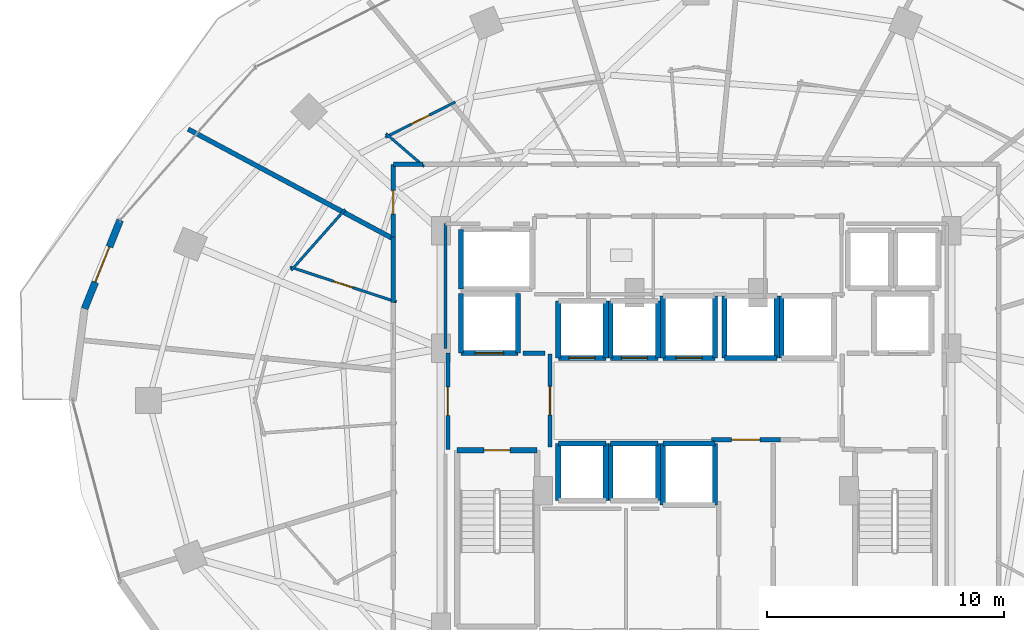
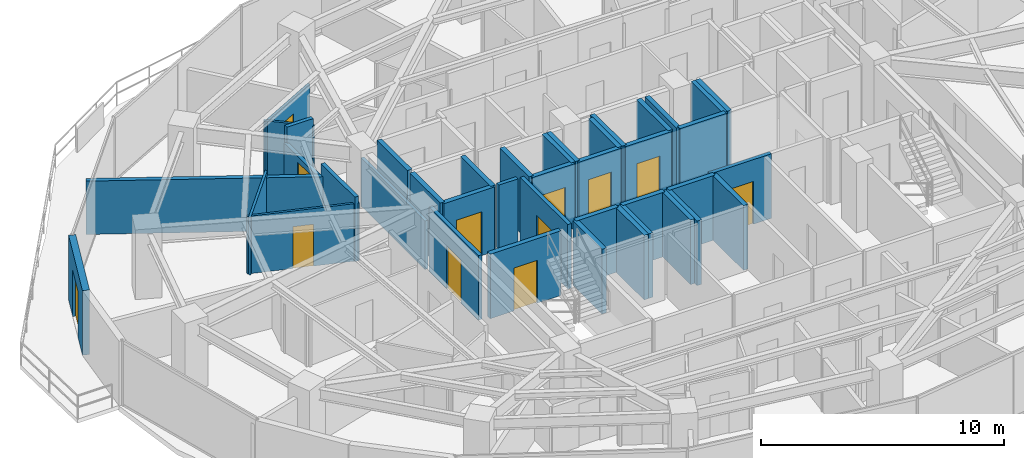
# One storey, part 22 of 29: 41 walls, 12 doors, 12 openings.
"""IFC4 building model written with IfcOpenShell, lengths in metres."""

from ifc_helpers import new_model, si_unit, direction, frame, frame_2d, origin, place, context, subcontext, project, spatial, rectangle, extrude, material, layer, layer_set, type_object, element, fill, save


model = new_model("IFC4")

# Units and contexts
model_context = context("Model", 3, precision=1e-05, world=origin(), true_north=direction((0.0, 1.0)))
body_context = subcontext(model_context, "Body", "Model", "MODEL_VIEW")
ifc_project = project(units=[si_unit("LENGTHUNIT", "METRE"), si_unit("AREAUNIT", "SQUARE_METRE"), si_unit("VOLUMEUNIT", "CUBIC_METRE"), si_unit("PLANEANGLEUNIT", "RADIAN"), si_unit("MASSUNIT", "GRAM", prefix="KILO")], contexts=[model_context])

# Site, building, storey
site_placement = place(None, origin())
site = spatial("IfcSite", under=ifc_project, at=site_placement, CompositionType="ELEMENT")
building_placement = place(site_placement, origin())
building = spatial("IfcBuilding", under=site, at=building_placement, Name="Vorneva Point Tower", CompositionType="ELEMENT")
storey_placement = place(building_placement, frame((0.0, 0.0, 113.800048828125)))
storey = spatial("IfcBuildingStorey", under=building, at=storey_placement, Name="L30", CompositionType="ELEMENT", Elevation=113.800048828125)

# Wall, opening, door
ifc_material_1 = material(Name="Concrete B60 (C50/60)", Category="concrete")
ifc_layer_1 = layer(ifc_material_1, 0.5)
ifc_layer_set_1 = layer_set([ifc_layer_1], Name="Concrete B60 (C50/60)")
wall_type_1 = type_object("IfcWallType", Name="WL-CORE-500", PredefinedType="SHEAR", material=ifc_layer_set_1)
wall_1_placement = place(storey_placement, frame((28.10009765625, 28.0, 0.0), z_axis=(0.0, 0.0, 1.0), x_axis=(1.0, 0.0, 0.0)))
wall_1 = element("IfcWall", 1, at=wall_1_placement, inside=storey, type_object=wall_type_1, Name="L30 Lift FFL1 Shaft Wall -Y", PredefinedType="SHEAR", context=body_context, shape_type="SweptSolid", body=[
    extrude(rectangle(XDim=2.39990234375, YDim=0.219970703125, at=frame_2d((1.199951171875, 0.0))), origin(), (0.0, 0.0, 1.0), 3.239990234375),
])
opening_1_placement = place(wall_1_placement, frame((0.60009765625, 0.0, 0.0)))
opening_1 = element("IfcOpeningElement", 2, at=opening_1_placement, cuts=wall_1, Name="Opening LD-02", PredefinedType="OPENING", context=body_context, shape_type="SweptSolid", body=[
    extrude(rectangle(XDim=1.199951171875, YDim=2.199951171875, at=frame_2d((0.60009765625, 1.10009765625))), frame((0.0, 0.125, 0.0), z_axis=(0.0, -1.0, 0.0), x_axis=(1.0, 0.0, 0.0)), (0.0, 0.0, 1.0), 0.249755859375),
])
ifc_material_2 = material(Name="Brushed stainless steel S304", Category="steel")
door_type_1 = type_object("IfcDoorType", Name="LD-FIRE-1200", OperationType="SLIDING_TO_LEFT", PredefinedType="DOOR", material=ifc_material_2)
door_1_placement = place(opening_1_placement, origin())
door_1 = element("IfcDoor", 3, at=door_1_placement, inside=storey, type_object=door_type_1, Name="L30 Lift FFL1 Sliding Landing Door", OperationType="SLIDING_TO_LEFT", OverallHeight=2.199951171875, OverallWidth=1.199951171875, PredefinedType="DOOR", context=body_context, shape_type="SweptSolid", body=[
    extrude(rectangle(XDim=1.199951171875, YDim=2.199951171875, at=frame_2d((0.60009765625, 1.10009765625))), frame((0.0, 0.02490234375, 0.0), z_axis=(0.0, -1.0, 0.0), x_axis=(1.0, 0.0, 0.0)), (0.0, 0.0, 1.0), 0.050048828125),
])
fill(opening_1, door_1)

# Walls
for number, where, z_axis, x_axis, name in (
    (4, (30.5, 28.0, 0.0), (0.0, 0.0, 1.0), (0.0, 1.0, 0.0), "L30 Lift FFL1 Shaft Wall +X"),
    (5, (28.10009765625, 30.5, 0.0), (0.0, 0.0, 1.0), (0.0, -1.0, 0.0), "L30 Lift FFL1 Shaft Wall -X"),
):
    element("IfcWall", number, at=place(storey_placement, frame(where, z_axis=z_axis, x_axis=x_axis)), inside=storey, type_object=wall_type_1, Name=name, PredefinedType="SHEAR", context=body_context, shape_type="SweptSolid", body=[
        extrude(rectangle(XDim=2.5, YDim=0.219970703125, at=frame_2d((1.25, 0.0))), origin(), (0.0, 0.0, 1.0), 3.239990234375),
    ])

# Wall, opening, door
ifc_material_3 = material(Name="Precast concrete B50 (C40/50)", Category="concrete")
ifc_layer_2 = layer(ifc_material_3, 0.300048828125)
ifc_layer_set_2 = layer_set([ifc_layer_2], Name="Precast concrete B50 (C40/50)")
wall_type_2 = type_object("IfcWallType", Name="WL-EXT-300", PredefinedType="STANDARD", material=ifc_layer_set_2)
wall_2_placement = place(storey_placement, frame((13.748291015625, 33.59619140625, 0.0), z_axis=(0.0, 0.0, 1.0), x_axis=(-0.372345205928, -0.92809430966, 0.0)))
wall_2 = element("IfcWall", 6, at=wall_2_placement, inside=storey, type_object=wall_type_2, Name="L30 Pale-Metal Facade Spandrel Wall 08.1", PredefinedType="STANDARD", context=body_context, shape_type="SweptSolid", body=[
    extrude(rectangle(XDim=4.01220703125, YDim=0.300048828125, at=frame_2d((2.006103515625, 0.0))), origin(), (0.0, 0.0, 1.0), 3.239990234375),
])
opening_2_placement = place(wall_2_placement, frame((1.2060546875, 0.0, 0.0)))
opening_2 = element("IfcOpeningElement", 7, at=opening_2_placement, cuts=wall_2, Name="Opening BD-01", PredefinedType="OPENING", context=body_context, shape_type="SweptSolid", body=[
    extrude(rectangle(XDim=1.60009765625, YDim=2.300048828125, at=frame_2d((0.800048828125, 1.14990234375))), frame((0.0, 0.1650390625, 0.0), z_axis=(0.0, -1.0, 0.0), x_axis=(1.0, 0.0, 0.0)), (0.0, 0.0, 1.0), 0.329833984375),
])
ifc_material_4 = material(Name="Pale anodised aluminium", Category="aluminium")
door_type_2 = type_object("IfcDoorType", Name="DR-BAL-1600", OperationType="SLIDING_TO_LEFT", PredefinedType="DOOR", material=ifc_material_4)
door_2_placement = place(opening_2_placement, origin())
door_2 = element("IfcDoor", 8, at=door_2_placement, inside=storey, type_object=door_type_2, Name="L30 Balcony Terrace Access Door 08", OperationType="SLIDING_TO_LEFT", OverallHeight=2.300048828125, OverallWidth=1.60009765625, PredefinedType="DOOR", context=body_context, shape_type="SweptSolid", body=[
    extrude(rectangle(XDim=1.60009765625, YDim=2.300048828125, at=frame_2d((0.800048828125, 1.14990234375))), frame((0.0, 0.02490234375, 0.0), z_axis=(0.0, -1.0, 0.0), x_axis=(1.0, 0.0, 0.0)), (0.0, 0.0, 1.0), 0.050048828125),
])
fill(opening_2, door_2)

ifc_material_5 = material(Name="Fire-rated acoustic gypsum stud partition", Category="gypsum")
ifc_layer_3 = layer(ifc_material_5, 0.110107421875)
ifc_layer_set_3 = layer_set([ifc_layer_3], Name="Fire-rated acoustic gypsum stud partition")
wall_type_3 = type_object("IfcWallType", Name="WL-PART-110", PredefinedType="PARTITIONING", material=ifc_layer_set_3)
wall_3_placement = place(storey_placement, frame((24.921142578125, 37.0888671875, 0.0), z_axis=(0.0, 0.0, 1.0), x_axis=(0.892504738081, 0.451038016693, 0.0)))
wall_3 = element("IfcWall", 9, at=wall_3_placement, inside=storey, type_object=wall_type_3, Name="L30 Interior Partition 079", PredefinedType="PARTITIONING", context=body_context, shape_type="SweptSolid", body=[
    extrude(rectangle(XDim=3.29052734375, YDim=0.110107421875, at=frame_2d((1.645263671875, 0.0))), origin(), (0.0, 0.0, 1.0), 2.885986328125),
])
opening_3_placement = place(wall_3_placement, frame((1.22021484375, 0.0, 0.0)))
opening_3 = element("IfcOpeningElement", 10, at=opening_3_placement, cuts=wall_3, Name="Opening ID-02", PredefinedType="OPENING", context=body_context, shape_type="SweptSolid", body=[
    extrude(rectangle(XDim=0.85009765625, YDim=2.10009765625, at=frame_2d((0.425048828125, 1.050048828125))), frame((0.0, 0.06982421875, 0.0), z_axis=(0.0, -1.0, 0.0), x_axis=(1.0, 0.0, 0.0)), (0.0, 0.0, 1.0), 0.139892578125),
])
ifc_material_6 = material(Name="Engineered oak fire-rated door leaf", Category="wood")
door_type_3 = type_object("IfcDoorType", Name="DR-BATH-850", OperationType="NOTDEFINED", PredefinedType="DOOR", material=ifc_material_6)
door_3_placement = place(opening_3_placement, origin())
door_3 = element("IfcDoor", 11, at=door_3_placement, inside=storey, type_object=door_type_3, Name="L30 Door King Guest Room L30-06 / En-Suite Bathroom L30-06", OperationType="SINGLE_SWING_RIGHT", OverallHeight=2.10009765625, OverallWidth=0.85009765625, PredefinedType="DOOR", context=body_context, shape_type="SweptSolid", body=[
    extrude(rectangle(XDim=0.85009765625, YDim=2.10009765625, at=frame_2d((0.425048828125, 1.050048828125))), frame((0.0, 0.02490234375, 0.0), z_axis=(0.0, -1.0, 0.0), x_axis=(1.0, 0.0, 0.0)), (0.0, 0.0, 1.0), 0.050048828125),
])
fill(opening_3, door_3)

# Walls
wall_4_placement = place(storey_placement, frame((26.548095703125, 35.858642578125, 0.0), z_axis=(0.0, 0.0, 1.0), x_axis=(-0.757776702782, 0.652513960556, 0.0)))
element("IfcWall", 12, at=wall_4_placement, inside=storey, type_object=wall_type_3, Name="L30 Interior Partition 080", PredefinedType="PARTITIONING", context=body_context, shape_type="SweptSolid", body=[
    extrude(rectangle(XDim=2.122314453125, YDim=0.110107421875, at=frame_2d((1.06103515625, 0.0))), origin(), (0.0, 0.0, 1.0), 2.885986328125),
])
wall_5_placement = place(storey_placement, frame((20.9482421875, 31.47900390625, 0.0), z_axis=(0.0, 0.0, 1.0), x_axis=(0.662155101597, 0.749366813669, 0.0)))
element("IfcWall", 13, at=wall_5_placement, inside=storey, type_object=wall_type_3, Name="L30 Interior Partition 082", PredefinedType="PARTITIONING", context=body_context, shape_type="SweptSolid", body=[
    extrude(rectangle(XDim=3.434814453125, YDim=0.110107421875, at=frame_2d((1.71728515625, 0.0))), origin(), (0.0, 0.0, 1.0), 2.885986328125),
])

# Wall, opening, door
wall_6_placement = place(storey_placement, frame((25.383056640625, 30.154296875, 0.0), z_axis=(0.0, 0.0, 1.0), x_axis=(-0.949842778007, 0.312727832257, 0.0)))
wall_6 = element("IfcWall", 14, at=wall_6_placement, inside=storey, type_object=wall_type_3, Name="L30 Interior Partition 083", PredefinedType="PARTITIONING", context=body_context, shape_type="SweptSolid", body=[
    extrude(rectangle(XDim=4.71142578125, YDim=0.110107421875, at=frame_2d((2.355712890625, 0.0))), origin(), (0.0, 0.0, 1.0), 2.885986328125),
])
opening_4_placement = place(wall_6_placement, frame((1.9306640625, 0.0, 0.0)))
opening_4 = element("IfcOpeningElement", 15, at=opening_4_placement, cuts=wall_6, Name="Opening ID-02", PredefinedType="OPENING", context=body_context, shape_type="SweptSolid", body=[
    extrude(rectangle(XDim=0.85009765625, YDim=2.10009765625, at=frame_2d((0.425048828125, 1.050048828125))), frame((0.0, 0.06982421875, 0.0), z_axis=(0.0, -1.0, 0.0), x_axis=(1.0, 0.0, 0.0)), (0.0, 0.0, 1.0), 0.139892578125),
])
door_4_placement = place(opening_4_placement, origin())
door_4 = element("IfcDoor", 16, at=door_4_placement, inside=storey, type_object=door_type_3, Name="L30 Door Corner Suite L30-07 / En-Suite Bathroom L30-07", OperationType="SINGLE_SWING_LEFT", OverallHeight=2.10009765625, OverallWidth=0.85009765625, PredefinedType="DOOR", context=body_context, shape_type="SweptSolid", body=[
    extrude(rectangle(XDim=0.85009765625, YDim=2.10009765625, at=frame_2d((0.425048828125, 1.050048828125))), frame((0.0, 0.02490234375, 0.0), z_axis=(0.0, -1.0, 0.0), x_axis=(1.0, 0.0, 0.0)), (0.0, 0.0, 1.0), 0.050048828125),
])
fill(opening_4, door_4)

# Wall
ifc_layer_4 = layer(ifc_material_5, 0.139892578125)
ifc_layer_set_4 = layer_set([ifc_layer_4], Name="Fire-rated acoustic gypsum stud partition")
wall_type_4 = type_object("IfcWallType", Name="WL-PART-140", PredefinedType="PARTITIONING", material=ifc_layer_set_4)
wall_7_placement = place(storey_placement, frame((27.449951171875, 28.196044921875, 0.0), z_axis=(0.0, 0.0, 1.0), x_axis=(0.0, 1.0, 0.0)))
element("IfcWall", 17, at=wall_7_placement, inside=storey, type_object=wall_type_4, Name="L30 Interior Closure Partition 126", PredefinedType="PARTITIONING", context=body_context, shape_type="SweptSolid", body=[
    extrude(rectangle(XDim=5.25390625, YDim=0.139892578125, at=frame_2d((2.626953125, 0.0))), origin(), (0.0, 0.0, 1.0), 2.431884765625),
])

# Wall, opening, door
ifc_material_7 = material(Name="Autoclaved aerated concrete blockwork", Category="masonry")
ifc_layer_5 = layer(ifc_material_7, 0.179931640625)
ifc_layer_set_5 = layer_set([ifc_layer_5], Name="Autoclaved aerated concrete blockwork")
wall_type_5 = type_object("IfcWallType", Name="WL-PART-180", PredefinedType="PARTITIONING", material=ifc_layer_set_5)
wall_8_placement = place(storey_placement, frame((31.85009765625, 24.044921875, 0.0), z_axis=(0.0, 0.0, 1.0), x_axis=(0.0, 1.0, 0.0)))
wall_8 = element("IfcWall", 18, at=wall_8_placement, inside=storey, type_object=wall_type_5, Name="L30 Interior Partition 001", PredefinedType="PARTITIONING", context=body_context, shape_type="SweptSolid", body=[
    extrude(rectangle(XDim=3.91015625, YDim=0.179931640625, at=frame_2d((1.955078125, 0.0))), origin(), (0.0, 0.0, 1.0), 3.239990234375),
])
opening_5_placement = place(wall_8_placement, frame((1.35498046875, 0.0, 0.0)))
opening_5 = element("IfcOpeningElement", 19, at=opening_5_placement, cuts=wall_8, Name="Opening FD-02", PredefinedType="OPENING", context=body_context, shape_type="SweptSolid", body=[
    extrude(rectangle(XDim=1.199951171875, YDim=2.14990234375, at=frame_2d((0.60009765625, 1.074951171875))), frame((0.0, 0.10498046875, 0.0), z_axis=(0.0, -1.0, 0.0), x_axis=(1.0, 0.0, 0.0)), (0.0, 0.0, 1.0), 0.209716796875),
])
ifc_material_8 = material(Name="Fire-rated powder-coated steel", Category="steel")
door_type_4 = type_object("IfcDoorType", Name="DR-FFL-1200", OperationType="NOTDEFINED", PredefinedType="DOOR", material=ifc_material_8)
door_5_placement = place(opening_5_placement, origin())
door_5 = element("IfcDoor", 20, at=door_5_placement, inside=storey, type_object=door_type_4, Name="L30 Door West Firefighting Lobby / Central Lift Lobby", OperationType="SINGLE_SWING_RIGHT", OverallHeight=2.14990234375, OverallWidth=1.199951171875, PredefinedType="DOOR", context=body_context, shape_type="SweptSolid", body=[
    extrude(rectangle(XDim=1.199951171875, YDim=2.14990234375, at=frame_2d((0.60009765625, 1.074951171875))), frame((0.0, 0.02490234375, 0.0), z_axis=(0.0, -1.0, 0.0), x_axis=(1.0, 0.0, 0.0)), (0.0, 0.0, 1.0), 0.050048828125),
])
fill(opening_5, door_5)

wall_9_placement = place(storey_placement, frame((27.550048828125, 28.0, 0.0), z_axis=(0.0, 0.0, 1.0), x_axis=(0.0, -1.0, 0.0)))
wall_9 = element("IfcWall", 21, at=wall_9_placement, inside=storey, type_object=wall_type_5, Name="L30 Interior Partition 002", PredefinedType="PARTITIONING", context=body_context, shape_type="SweptSolid", body=[
    extrude(rectangle(XDim=4.050048828125, YDim=0.179931640625, at=frame_2d((2.02490234375, 0.0))), origin(), (0.0, 0.0, 1.0), 3.239990234375),
])
opening_6_placement = place(wall_9_placement, frame((1.425048828125, 0.0, 0.0)))
opening_6 = element("IfcOpeningElement", 22, at=opening_6_placement, cuts=wall_9, Name="Opening FD-02", PredefinedType="OPENING", context=body_context, shape_type="SweptSolid", body=[
    extrude(rectangle(XDim=1.199951171875, YDim=2.14990234375, at=frame_2d((0.60009765625, 1.074951171875))), frame((0.0, 0.10498046875, 0.0), z_axis=(0.0, -1.0, 0.0), x_axis=(1.0, 0.0, 0.0)), (0.0, 0.0, 1.0), 0.209716796875),
])
door_6_placement = place(opening_6_placement, origin())
door_6 = element("IfcDoor", 23, at=door_6_placement, inside=storey, type_object=door_type_4, Name="L30 Door West Firefighting Lobby / L30 Circulation Corridor", OperationType="SINGLE_SWING_RIGHT", OverallHeight=2.14990234375, OverallWidth=1.199951171875, PredefinedType="DOOR", context=body_context, shape_type="SweptSolid", body=[
    extrude(rectangle(XDim=1.199951171875, YDim=2.14990234375, at=frame_2d((0.60009765625, 1.074951171875))), frame((0.0, 0.02490234375, 0.0), z_axis=(0.0, -1.0, 0.0), x_axis=(1.0, 0.0, 0.0)), (0.0, 0.0, 1.0), 0.050048828125),
])
fill(opening_6, door_6)

wall_10_placement = place(storey_placement, frame((38.64501953125, 24.35009765625, 0.0), z_axis=(0.0, 0.0, 1.0), x_axis=(1.0, 0.0, 0.0)))
wall_10 = element("IfcWall", 24, at=wall_10_placement, inside=storey, type_object=wall_type_5, Name="L30 Interior Partition 009", PredefinedType="PARTITIONING", context=body_context, shape_type="SweptSolid", body=[
    extrude(rectangle(XDim=2.909912109375, YDim=0.179931640625, at=frame_2d((1.455078125, 0.0))), origin(), (0.0, 0.0, 1.0), 3.239990234375),
])
opening_7_placement = place(wall_10_placement, frame((0.85498046875, 0.0, 0.0)))
opening_7 = element("IfcOpeningElement", 25, at=opening_7_placement, cuts=wall_10, Name="Opening FD-02", PredefinedType="OPENING", context=body_context, shape_type="SweptSolid", body=[
    extrude(rectangle(XDim=1.199951171875, YDim=2.14990234375, at=frame_2d((0.60009765625, 1.074951171875))), frame((0.0, 0.10498046875, 0.0), z_axis=(0.0, -1.0, 0.0), x_axis=(1.0, 0.0, 0.0)), (0.0, 0.0, 1.0), 0.209716796875),
])
door_7_placement = place(opening_7_placement, origin())
door_7 = element("IfcDoor", 26, at=door_7_placement, inside=storey, type_object=door_type_4, Name="L30 Door Central Lift Lobby / Core Service Lobby", OperationType="SINGLE_SWING_LEFT", OverallHeight=2.14990234375, OverallWidth=1.199951171875, PredefinedType="DOOR", context=body_context, shape_type="SweptSolid", body=[
    extrude(rectangle(XDim=1.199951171875, YDim=2.14990234375, at=frame_2d((0.60009765625, 1.074951171875))), frame((0.0, 0.02490234375, 0.0), z_axis=(0.0, -1.0, 0.0), x_axis=(1.0, 0.0, 0.0)), (0.0, 0.0, 1.0), 0.050048828125),
])
fill(opening_7, door_7)

# Wall
wall_11_placement = place(storey_placement, frame((26.501953125, 35.949951171875, 0.0), z_axis=(0.0, 0.0, 1.0), x_axis=(-1.0, 0.0, 0.0)))
element("IfcWall", 27, at=wall_11_placement, inside=storey, type_object=wall_type_5, Name="L30 Interior Partition 035", PredefinedType="PARTITIONING", context=body_context, shape_type="SweptSolid", body=[
    extrude(rectangle(XDim=1.251953125, YDim=0.179931640625, at=frame_2d((0.6259765625, 0.0))), origin(), (0.0, 0.0, 1.0), 3.239990234375),
])

# Wall, opening, door
wall_12_placement = place(storey_placement, frame((25.25, 35.949951171875, 0.0), z_axis=(0.0, 0.0, 1.0), x_axis=(0.0, -1.0, 0.0)))
wall_12 = element("IfcWall", 28, at=wall_12_placement, inside=storey, type_object=wall_type_5, Name="L30 Interior Partition 036", PredefinedType="PARTITIONING", context=body_context, shape_type="SweptSolid", body=[
    extrude(rectangle(XDim=3.195068359375, YDim=0.179931640625, at=frame_2d((1.59765625, 0.0))), origin(), (0.0, 0.0, 1.0), 2.431884765625),
])
opening_8_placement = place(wall_12_placement, frame((1.097412109375, 0.0, 0.0)))
opening_8 = element("IfcOpeningElement", 29, at=opening_8_placement, cuts=wall_12, Name="Opening UD-01", PredefinedType="OPENING", context=body_context, shape_type="SweptSolid", body=[
    extrude(rectangle(XDim=1.0, YDim=2.14990234375, at=frame_2d((0.5, 1.074951171875))), frame((0.0, 0.10498046875, 0.0), z_axis=(0.0, -1.0, 0.0), x_axis=(1.0, 0.0, 0.0)), (0.0, 0.0, 1.0), 0.209716796875),
])
door_type_5 = type_object("IfcDoorType", Name="DR-UNIT-1000", OperationType="NOTDEFINED", PredefinedType="DOOR", material=ifc_material_6)
door_8_placement = place(opening_8_placement, origin())
door_8 = element("IfcDoor", 30, at=door_8_placement, inside=storey, type_object=door_type_5, Name="L30 Door L30 Circulation Corridor / King Guest Room L30-06", OperationType="SINGLE_SWING_LEFT", OverallHeight=2.14990234375, OverallWidth=1.0, PredefinedType="DOOR", context=body_context, shape_type="SweptSolid", body=[
    extrude(rectangle(XDim=1.0, YDim=2.14990234375, at=frame_2d((0.5, 1.074951171875))), frame((0.0, 0.02490234375, 0.0), z_axis=(0.0, -1.0, 0.0), x_axis=(1.0, 0.0, 0.0)), (0.0, 0.0, 1.0), 0.050048828125),
])
fill(opening_8, door_8)

# Walls
wall_13_placement = place(storey_placement, frame((25.25, 32.89501953125, 0.0), z_axis=(0.0, 0.0, 1.0), x_axis=(0.0, -1.0, 0.0)))
element("IfcWall", 31, at=wall_13_placement, inside=storey, type_object=wall_type_5, Name="L30 Interior Partition 039", PredefinedType="PARTITIONING", context=body_context, shape_type="SweptSolid", body=[
    extrude(rectangle(XDim=2.77392578125, YDim=0.179931640625, at=frame_2d((1.386962890625, 0.0))), origin(), (0.0, 0.0, 1.0), 3.239990234375),
])
wall_14_placement = place(storey_placement, frame((31.635009765625, 28.0, 0.0), z_axis=(0.0, 0.0, 1.0), x_axis=(-1.0, 0.0, 0.0)))
element("IfcWall", 32, at=wall_14_placement, inside=storey, type_object=wall_type_5, Name="L30 Interior Closure Partition 111", PredefinedType="PARTITIONING", context=body_context, shape_type="SweptSolid", body=[
    extrude(rectangle(XDim=0.9150390625, YDim=0.179931640625, at=frame_2d((0.45751953125, 0.0))), origin(), (0.0, 0.0, 1.0), 3.239990234375),
])
ifc_layer_6 = layer(ifc_material_7, 0.199951171875)
ifc_layer_set_6 = layer_set([ifc_layer_6], Name="Autoclaved aerated concrete blockwork")
wall_type_6 = type_object("IfcWallType", Name="WL-PART-200", PredefinedType="PARTITIONING", material=ifc_layer_set_6)
wall_15_placement = place(storey_placement, frame((16.615966796875, 37.429931640625, 0.0), z_axis=(0.0, 0.0, 1.0), x_axis=(0.881921122551, -0.471397002109, 0.0)))
element("IfcWall", 33, at=wall_15_placement, inside=storey, type_object=wall_type_6, Name="L30 Interior Partition 081", PredefinedType="PARTITIONING", context=body_context, shape_type="SweptSolid", body=[
    extrude(rectangle(XDim=9.7900390625, YDim=0.199951171875, at=frame_2d((4.89501953125, 0.0))), origin(), (0.0, 0.0, 1.0), 2.677001953125),
])

# Wall, opening, door
ifc_material_9 = material(Name="Concrete B50 (C40/50)", Category="concrete")
ifc_layer_7 = layer(ifc_material_9, 0.219970703125)
ifc_layer_set_7 = layer_set([ifc_layer_7], Name="Concrete B50 (C40/50)")
wall_type_7 = type_object("IfcWallType", Name="WL-SHFT-220", PredefinedType="SOLIDWALL", material=ifc_layer_set_7)
wall_16_placement = place(storey_placement, frame((27.93994140625, 23.909912109375, 0.0), z_axis=(0.0, 0.0, 1.0), x_axis=(1.0, 0.0, 0.0)))
wall_16 = element("IfcWall", 34, at=wall_16_placement, inside=storey, type_object=wall_type_7, Name="L30 Exit Stair ST1 Shaft Wall near", PredefinedType="SOLIDWALL", context=body_context, shape_type="SweptSolid", body=[
    extrude(rectangle(XDim=3.3701171875, YDim=0.219970703125, at=frame_2d((1.68505859375, 0.0))), origin(), (0.0, 0.0, 1.0), 3.239990234375),
])
opening_9_placement = place(wall_16_placement, frame((1.135009765625, 0.0, 0.0)))
opening_9 = element("IfcOpeningElement", 35, at=opening_9_placement, cuts=wall_16, Name="Opening FD-01", PredefinedType="OPENING", context=body_context, shape_type="SweptSolid", body=[
    extrude(rectangle(XDim=1.10009765625, YDim=2.14990234375, at=frame_2d((0.550048828125, 1.074951171875))), frame((0.0, 0.125, 0.0), z_axis=(0.0, -1.0, 0.0), x_axis=(1.0, 0.0, 0.0)), (0.0, 0.0, 1.0), 0.249755859375),
])
door_type_6 = type_object("IfcDoorType", Name="DR-STAIR-1100", OperationType="NOTDEFINED", PredefinedType="DOOR", material=ifc_material_8)
door_9_placement = place(opening_9_placement, origin())
door_9 = element("IfcDoor", 36, at=door_9_placement, inside=storey, type_object=door_type_6, Name="L30 Exit Stair ST1 Fire Door", OperationType="SINGLE_SWING_RIGHT", OverallHeight=2.14990234375, OverallWidth=1.10009765625, PredefinedType="DOOR", context=body_context, shape_type="SweptSolid", body=[
    extrude(rectangle(XDim=1.10009765625, YDim=2.14990234375, at=frame_2d((0.550048828125, 1.074951171875))), frame((0.0, 0.02490234375, 0.0), z_axis=(0.0, -1.0, 0.0), x_axis=(1.0, 0.0, 0.0)), (0.0, 0.0, 1.0), 0.050048828125),
])
fill(opening_9, door_9)

wall_17_placement = place(storey_placement, frame((32.199951171875, 27.800048828125, 0.0), z_axis=(0.0, 0.0, 1.0), x_axis=(1.0, 0.0, 0.0)))
wall_17 = element("IfcWall", 37, at=wall_17_placement, inside=storey, type_object=wall_type_7, Name="L30 Lift PL1 Shaft Wall -Y", PredefinedType="SOLIDWALL", context=body_context, shape_type="SweptSolid", body=[
    extrude(rectangle(XDim=2.0, YDim=0.219970703125, at=frame_2d((1.0, 0.0))), origin(), (0.0, 0.0, 1.0), 3.239990234375),
])
opening_10_placement = place(wall_17_placement, frame((0.449951171875, 0.0, 0.0)))
opening_10 = element("IfcOpeningElement", 38, at=opening_10_placement, cuts=wall_17, Name="Opening LD-01", PredefinedType="OPENING", context=body_context, shape_type="SweptSolid", body=[
    extrude(rectangle(XDim=1.10009765625, YDim=2.199951171875, at=frame_2d((0.550048828125, 1.10009765625))), frame((0.0, 0.125, 0.0), z_axis=(0.0, -1.0, 0.0), x_axis=(1.0, 0.0, 0.0)), (0.0, 0.0, 1.0), 0.249755859375),
])
door_type_7 = type_object("IfcDoorType", Name="LD-PASS-1100", OperationType="SLIDING_TO_LEFT", PredefinedType="DOOR", material=ifc_material_2)
door_10_placement = place(opening_10_placement, origin())
door_10 = element("IfcDoor", 39, at=door_10_placement, inside=storey, type_object=door_type_7, Name="L30 Lift PL1 Sliding Landing Door", OperationType="SLIDING_TO_LEFT", OverallHeight=2.199951171875, OverallWidth=1.10009765625, PredefinedType="DOOR", context=body_context, shape_type="SweptSolid", body=[
    extrude(rectangle(XDim=1.10009765625, YDim=2.199951171875, at=frame_2d((0.550048828125, 1.10009765625))), frame((0.0, 0.02490234375, 0.0), z_axis=(0.0, -1.0, 0.0), x_axis=(1.0, 0.0, 0.0)), (0.0, 0.0, 1.0), 0.050048828125),
])
fill(opening_10, door_10)

# Walls
for number, where, z_axis, x_axis, name in (
    (40, (34.199951171875, 27.800048828125, 0.0), (0.0, 0.0, 1.0), (0.0, 1.0, 0.0), "L30 Lift PL1 Shaft Wall +X"),
    (41, (32.199951171875, 30.199951171875, 0.0), (0.0, 0.0, 1.0), (0.0, -1.0, 0.0), "L30 Lift PL1 Shaft Wall -X"),
):
    element("IfcWall", number, at=place(storey_placement, frame(where, z_axis=z_axis, x_axis=x_axis)), inside=storey, type_object=wall_type_7, Name=name, PredefinedType="SOLIDWALL", context=body_context, shape_type="SweptSolid", body=[
        extrude(rectangle(XDim=2.39990234375, YDim=0.219970703125, at=frame_2d((1.199951171875, 0.0))), origin(), (0.0, 0.0, 1.0), 3.239990234375),
    ])

# Wall, opening, door
wall_18_placement = place(storey_placement, frame((34.39990234375, 27.800048828125, 0.0), z_axis=(0.0, 0.0, 1.0), x_axis=(1.0, 0.0, 0.0)))
wall_18 = element("IfcWall", 42, at=wall_18_placement, inside=storey, type_object=wall_type_7, Name="L30 Lift PL2 Shaft Wall -Y", PredefinedType="SOLIDWALL", context=body_context, shape_type="SweptSolid", body=[
    extrude(rectangle(XDim=2.0, YDim=0.219970703125, at=frame_2d((1.0, 0.0))), origin(), (0.0, 0.0, 1.0), 3.239990234375),
])
opening_11_placement = place(wall_18_placement, frame((0.449951171875, 0.0, 0.0)))
opening_11 = element("IfcOpeningElement", 43, at=opening_11_placement, cuts=wall_18, Name="Opening LD-01", PredefinedType="OPENING", context=body_context, shape_type="SweptSolid", body=[
    extrude(rectangle(XDim=1.10009765625, YDim=2.199951171875, at=frame_2d((0.550048828125, 1.10009765625))), frame((0.0, 0.125, 0.0), z_axis=(0.0, -1.0, 0.0), x_axis=(1.0, 0.0, 0.0)), (0.0, 0.0, 1.0), 0.249755859375),
])
door_11_placement = place(opening_11_placement, origin())
door_11 = element("IfcDoor", 44, at=door_11_placement, inside=storey, type_object=door_type_7, Name="L30 Lift PL2 Sliding Landing Door", OperationType="SLIDING_TO_LEFT", OverallHeight=2.199951171875, OverallWidth=1.10009765625, PredefinedType="DOOR", context=body_context, shape_type="SweptSolid", body=[
    extrude(rectangle(XDim=1.10009765625, YDim=2.199951171875, at=frame_2d((0.550048828125, 1.10009765625))), frame((0.0, 0.02490234375, 0.0), z_axis=(0.0, -1.0, 0.0), x_axis=(1.0, 0.0, 0.0)), (0.0, 0.0, 1.0), 0.050048828125),
])
fill(opening_11, door_11)

# Walls
for number, where, z_axis, x_axis, name in (
    (45, (36.39990234375, 27.800048828125, 0.0), (0.0, 0.0, 1.0), (0.0, 1.0, 0.0), "L30 Lift PL2 Shaft Wall +X"),
    (46, (34.39990234375, 30.199951171875, 0.0), (0.0, 0.0, 1.0), (0.0, -1.0, 0.0), "L30 Lift PL2 Shaft Wall -X"),
):
    element("IfcWall", number, at=place(storey_placement, frame(where, z_axis=z_axis, x_axis=x_axis)), inside=storey, type_object=wall_type_7, Name=name, PredefinedType="SOLIDWALL", context=body_context, shape_type="SweptSolid", body=[
        extrude(rectangle(XDim=2.39990234375, YDim=0.219970703125, at=frame_2d((1.199951171875, 0.0))), origin(), (0.0, 0.0, 1.0), 3.239990234375),
    ])

# Wall, opening, door
wall_19_placement = place(storey_placement, frame((36.60009765625, 27.800048828125, 0.0), z_axis=(0.0, 0.0, 1.0), x_axis=(1.0, 0.0, 0.0)))
wall_19 = element("IfcWall", 47, at=wall_19_placement, inside=storey, type_object=wall_type_7, Name="L30 Lift PL3 Shaft Wall -Y", PredefinedType="SOLIDWALL", context=body_context, shape_type="SweptSolid", body=[
    extrude(rectangle(XDim=2.199951171875, YDim=0.219970703125, at=frame_2d((1.10009765625, 0.0))), origin(), (0.0, 0.0, 1.0), 3.239990234375),
])
opening_12_placement = place(wall_19_placement, frame((0.550048828125, 0.0, 0.0)))
opening_12 = element("IfcOpeningElement", 48, at=opening_12_placement, cuts=wall_19, Name="Opening LD-01", PredefinedType="OPENING", context=body_context, shape_type="SweptSolid", body=[
    extrude(rectangle(XDim=1.10009765625, YDim=2.199951171875, at=frame_2d((0.550048828125, 1.10009765625))), frame((0.0, 0.125, 0.0), z_axis=(0.0, -1.0, 0.0), x_axis=(1.0, 0.0, 0.0)), (0.0, 0.0, 1.0), 0.249755859375),
])
door_12_placement = place(opening_12_placement, origin())
door_12 = element("IfcDoor", 49, at=door_12_placement, inside=storey, type_object=door_type_7, Name="L30 Lift PL3 Sliding Landing Door", OperationType="SLIDING_TO_LEFT", OverallHeight=2.199951171875, OverallWidth=1.10009765625, PredefinedType="DOOR", context=body_context, shape_type="SweptSolid", body=[
    extrude(rectangle(XDim=1.10009765625, YDim=2.199951171875, at=frame_2d((0.550048828125, 1.10009765625))), frame((0.0, 0.02490234375, 0.0), z_axis=(0.0, -1.0, 0.0), x_axis=(1.0, 0.0, 0.0)), (0.0, 0.0, 1.0), 0.050048828125),
])
fill(opening_12, door_12)

# Walls
for number, where, z_axis, x_axis, name in (
    (50, (38.800048828125, 27.800048828125, 0.0), (0.0, 0.0, 1.0), (0.0, 1.0, 0.0), "L30 Lift PL3 Shaft Wall +X"),
    (51, (36.60009765625, 30.39990234375, 0.0), (0.0, 0.0, 1.0), (0.0, -1.0, 0.0), "L30 Lift PL3 Shaft Wall -X"),
):
    element("IfcWall", number, at=place(storey_placement, frame(where, z_axis=z_axis, x_axis=x_axis)), inside=storey, type_object=wall_type_7, Name=name, PredefinedType="SOLIDWALL", context=body_context, shape_type="SweptSolid", body=[
        extrude(rectangle(XDim=2.599853515625, YDim=0.219970703125, at=frame_2d((1.2998046875, 0.0))), origin(), (0.0, 0.0, 1.0), 3.239990234375),
    ])
wall_20_placement = place(storey_placement, frame((34.199951171875, 21.800048828125, 0.0), z_axis=(0.0, 0.0, 1.0), x_axis=(0.0, 1.0, 0.0)))
element("IfcWall", 52, at=wall_20_placement, inside=storey, type_object=wall_type_7, Name="L30 Lift PL4 Shaft Wall +X", PredefinedType="SOLIDWALL", context=body_context, shape_type="SweptSolid", body=[
    extrude(rectangle(XDim=2.39990234375, YDim=0.219970703125, at=frame_2d((1.199951171875, 0.0))), origin(), (0.0, 0.0, 1.0), 3.239990234375),
])
wall_21_placement = place(storey_placement, frame((34.199951171875, 24.199951171875, 0.0), z_axis=(0.0, 0.0, 1.0), x_axis=(-1.0, 0.0, 0.0)))
element("IfcWall", 53, at=wall_21_placement, inside=storey, type_object=wall_type_7, Name="L30 Lift PL4 Shaft Wall +Y", PredefinedType="SOLIDWALL", context=body_context, shape_type="SweptSolid", body=[
    extrude(rectangle(XDim=2.0, YDim=0.219970703125, at=frame_2d((1.0, 0.0))), origin(), (0.0, 0.0, 1.0), 3.239990234375),
])
for number, where, z_axis, x_axis, name in (
    (54, (32.199951171875, 24.199951171875, 0.0), (0.0, 0.0, 1.0), (0.0, -1.0, 0.0), "L30 Lift PL4 Shaft Wall -X"),
    (55, (36.39990234375, 21.800048828125, 0.0), (0.0, 0.0, 1.0), (0.0, 1.0, 0.0), "L30 Lift PL5 Shaft Wall +X"),
):
    element("IfcWall", number, at=place(storey_placement, frame(where, z_axis=z_axis, x_axis=x_axis)), inside=storey, type_object=wall_type_7, Name=name, PredefinedType="SOLIDWALL", context=body_context, shape_type="SweptSolid", body=[
        extrude(rectangle(XDim=2.39990234375, YDim=0.219970703125, at=frame_2d((1.199951171875, 0.0))), origin(), (0.0, 0.0, 1.0), 3.239990234375),
    ])
wall_22_placement = place(storey_placement, frame((36.39990234375, 24.199951171875, 0.0), z_axis=(0.0, 0.0, 1.0), x_axis=(-1.0, 0.0, 0.0)))
element("IfcWall", 56, at=wall_22_placement, inside=storey, type_object=wall_type_7, Name="L30 Lift PL5 Shaft Wall +Y", PredefinedType="SOLIDWALL", context=body_context, shape_type="SweptSolid", body=[
    extrude(rectangle(XDim=2.0, YDim=0.219970703125, at=frame_2d((1.0, 0.0))), origin(), (0.0, 0.0, 1.0), 3.239990234375),
])
wall_23_placement = place(storey_placement, frame((34.39990234375, 24.199951171875, 0.0), z_axis=(0.0, 0.0, 1.0), x_axis=(0.0, -1.0, 0.0)))
element("IfcWall", 57, at=wall_23_placement, inside=storey, type_object=wall_type_7, Name="L30 Lift PL5 Shaft Wall -X", PredefinedType="SOLIDWALL", context=body_context, shape_type="SweptSolid", body=[
    extrude(rectangle(XDim=2.39990234375, YDim=0.219970703125, at=frame_2d((1.199951171875, 0.0))), origin(), (0.0, 0.0, 1.0), 3.239990234375),
])
wall_24_placement = place(storey_placement, frame((38.800048828125, 21.60009765625, 0.0), z_axis=(0.0, 0.0, 1.0), x_axis=(0.0, 1.0, 0.0)))
element("IfcWall", 58, at=wall_24_placement, inside=storey, type_object=wall_type_7, Name="L30 Lift PL6 Shaft Wall +X", PredefinedType="SOLIDWALL", context=body_context, shape_type="SweptSolid", body=[
    extrude(rectangle(XDim=2.599853515625, YDim=0.219970703125, at=frame_2d((1.2998046875, 0.0))), origin(), (0.0, 0.0, 1.0), 3.239990234375),
])
wall_25_placement = place(storey_placement, frame((38.800048828125, 24.199951171875, 0.0), z_axis=(0.0, 0.0, 1.0), x_axis=(-1.0, 0.0, 0.0)))
element("IfcWall", 59, at=wall_25_placement, inside=storey, type_object=wall_type_7, Name="L30 Lift PL6 Shaft Wall +Y", PredefinedType="SOLIDWALL", context=body_context, shape_type="SweptSolid", body=[
    extrude(rectangle(XDim=2.199951171875, YDim=0.219970703125, at=frame_2d((1.10009765625, 0.0))), origin(), (0.0, 0.0, 1.0), 3.239990234375),
])
wall_26_placement = place(storey_placement, frame((36.60009765625, 24.199951171875, 0.0), z_axis=(0.0, 0.0, 1.0), x_axis=(0.0, -1.0, 0.0)))
element("IfcWall", 60, at=wall_26_placement, inside=storey, type_object=wall_type_7, Name="L30 Lift PL6 Shaft Wall -X", PredefinedType="SOLIDWALL", context=body_context, shape_type="SweptSolid", body=[
    extrude(rectangle(XDim=2.599853515625, YDim=0.219970703125, at=frame_2d((1.2998046875, 0.0))), origin(), (0.0, 0.0, 1.0), 3.239990234375),
])
wall_27_placement = place(storey_placement, frame((39.199951171875, 27.800048828125, 0.0), z_axis=(0.0, 0.0, 1.0), x_axis=(1.0, 0.0, 0.0)))
element("IfcWall", 61, at=wall_27_placement, inside=storey, type_object=wall_type_7, Name="L30 Lift PL7 Shaft Wall -Y", PredefinedType="SOLIDWALL", context=body_context, shape_type="SweptSolid", body=[
    extrude(rectangle(XDim=2.199951171875, YDim=0.219970703125, at=frame_2d((1.10009765625, 0.0))), origin(), (0.0, 0.0, 1.0), 3.239990234375),
])
for number, where, z_axis, x_axis, name in (
    (62, (41.39990234375, 27.800048828125, 0.0), (0.0, 0.0, 1.0), (0.0, 1.0, 0.0), "L30 Lift PL7 Shaft Wall +X"),
    (63, (39.199951171875, 30.39990234375, 0.0), (0.0, 0.0, 1.0), (0.0, -1.0, 0.0), "L30 Lift PL7 Shaft Wall -X"),
    (64, (41.60009765625, 30.39990234375, 0.0), (0.0, 0.0, 1.0), (0.0, -1.0, 0.0), "L30 Lift PL8 Shaft Wall -X"),
):
    element("IfcWall", number, at=place(storey_placement, frame(where, z_axis=z_axis, x_axis=x_axis)), inside=storey, type_object=wall_type_7, Name=name, PredefinedType="SOLIDWALL", context=body_context, shape_type="SweptSolid", body=[
        extrude(rectangle(XDim=2.599853515625, YDim=0.219970703125, at=frame_2d((1.2998046875, 0.0))), origin(), (0.0, 0.0, 1.0), 3.239990234375),
    ])
wall_28_placement = place(storey_placement, frame((28.10009765625, 33.199951171875, 0.0), z_axis=(0.0, 0.0, 1.0), x_axis=(0.0, -1.0, 0.0)))
element("IfcWall", 65, at=wall_28_placement, inside=storey, type_object=wall_type_7, Name="L30 Lift SVL1 Shaft Wall -X", PredefinedType="SOLIDWALL", context=body_context, shape_type="SweptSolid", body=[
    extrude(rectangle(XDim=2.5, YDim=0.219970703125, at=frame_2d((1.25, 0.0))), origin(), (0.0, 0.0, 1.0), 3.239990234375),
])

save(model, "model.ifc")
